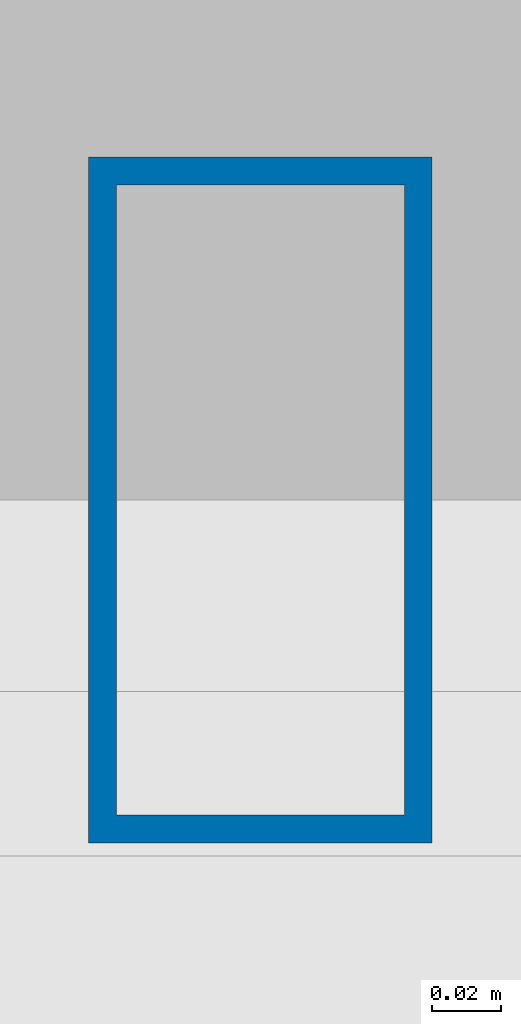
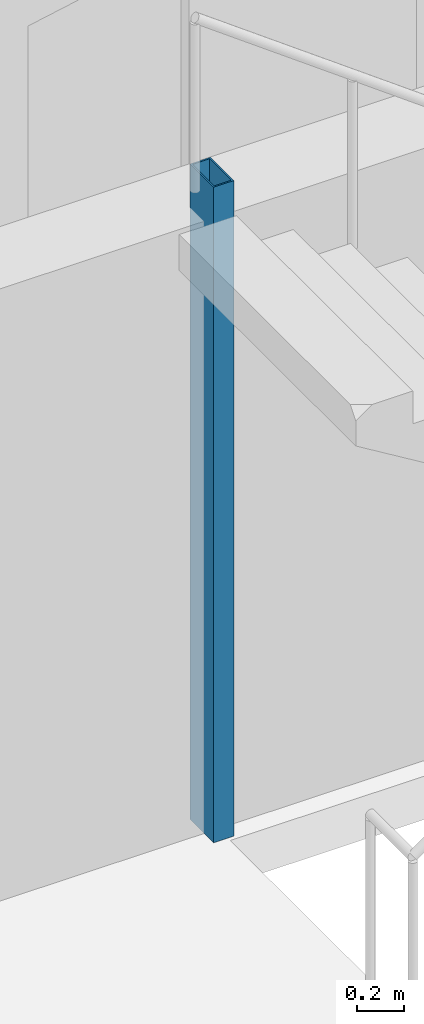
# One storey, part 2 of 20: 1 column.
"""IFC4 building model written with IfcOpenShell, lengths in metres."""

from ifc_helpers import new_model, si_unit, direction, frame, origin, origin_2d, place, context, subcontext, project, spatial, hollow_rectangle, extrude, material, material_profile, profile_set, type_object, element, save


model = new_model("IFC4")

# Units and contexts
model_context = context("Model", 3, precision=1e-05, world=origin(), true_north=direction((0.0, 1.0)))
body_context = subcontext(model_context, "Body", "Model", "MODEL_VIEW")
ifc_project = project(units=[si_unit("LENGTHUNIT", "METRE"), si_unit("AREAUNIT", "SQUARE_METRE"), si_unit("VOLUMEUNIT", "CUBIC_METRE"), si_unit("PLANEANGLEUNIT", "RADIAN"), si_unit("MASSUNIT", "GRAM", prefix="KILO")], contexts=[model_context])

# Site, building, storey
site_placement = place(None, origin())
site = spatial("IfcSite", under=ifc_project, at=site_placement, CompositionType="ELEMENT")
building_placement = place(site_placement, origin())
building = spatial("IfcBuilding", under=site, at=building_placement, Name="Menara Jurai Vektor", CompositionType="ELEMENT")
storey_placement = place(building_placement, frame((0.0, 0.0, 158.199951171875)))
storey = spatial("IfcBuildingStorey", under=building, at=storey_placement, Name="L40", CompositionType="ELEMENT", Elevation=158.199951171875)

# Column
ifc_material = material(Name="Steel S355", Category="steel")
ifc_material_profile = material_profile(ifc_material, hollow_rectangle(XDim=0.10009765625, YDim=0.199951171875, WallThickness=0.008056640625, at=origin_2d()), Name="RHS 200x100x8")
ifc_profile_set = profile_set([ifc_material_profile], Name="Steel S355")
column_type = type_object("IfcColumnType", Name="STR-COL-STAIR", PredefinedType="COLUMN", material=ifc_profile_set)
column_placement = place(storey_placement, frame((-11.1201171875, 5.419921875, 0.0), z_axis=(0.0, 0.0, 1.0), x_axis=(1.0, 0.0, 0.0)))
element("IfcColumn", 1, at=column_placement, inside=storey, type_object=column_type, Name="Stair Well Header Column ST1-P2 L40", PredefinedType="COLUMN", context=body_context, shape_type="SweptSolid", body=[
    extrude(hollow_rectangle(XDim=0.10009765625, YDim=0.199951171875, WallThickness=0.008056640625, at=origin_2d()), origin(), (0.0, 0.0, 1.0), 3.400146484375),
])

save(model, "model.ifc")
